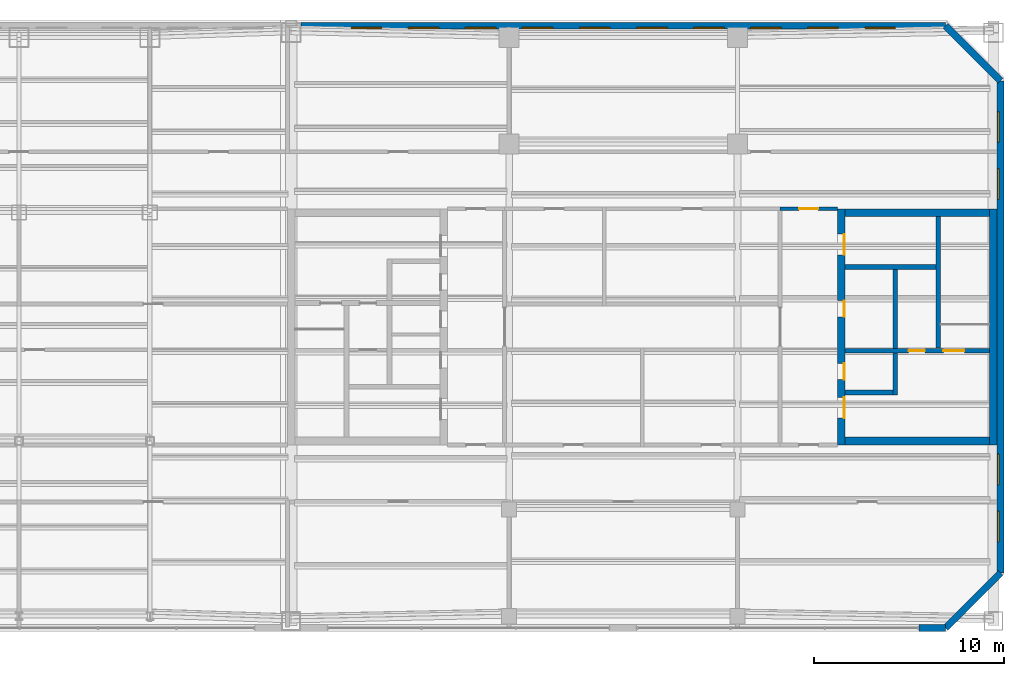
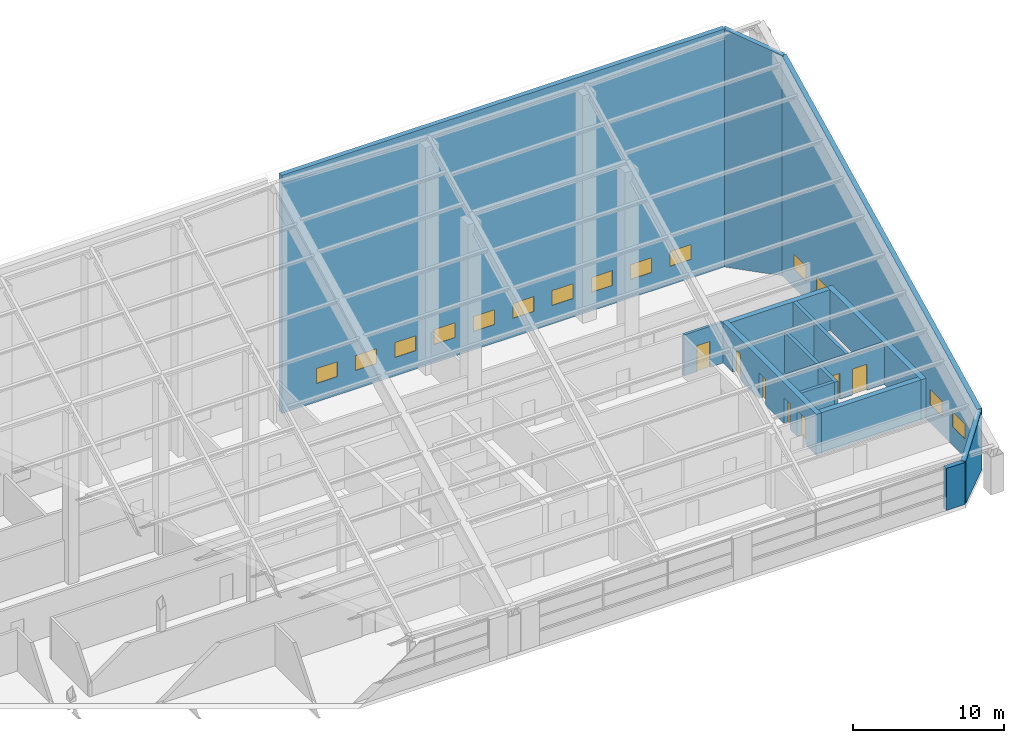
# One storey, part 27 of 28: 16 walls, 14 windows, 7 doors, 21 openings.
"""IFC4 building model written with IfcOpenShell, lengths in metres."""

import ifcopenshell
import ifcopenshell.guid

model = None  # the IFC model being written
_history = None  # IfcOwnerHistory: only IFC2X3 demands one
_inside = {}  # id of a spatial element -> (the spatial element, [elements in it])
_under = {}  # id of a project, library or spatial element -> (it, [spatial elements below it])
_declared = {}  # id of a project -> (the project, [libraries it declares])
_typed = {}  # id of a type object -> (the type object, [elements of that type])
_made_of = {}  # id of a material, layer set ... -> (it, [elements and type objects made of it])


def new_model(schema):
    """Start an empty IFC model of exactly this schema.

    Asked for "IFC4X3", IfcOpenShell would pick the latest addendum, in which some entities
    have other attributes; the version numbers below select the first issue.
    IFC2X3 requires an IfcOwnerHistory on every rooted entity: one is made here for all.
    """
    global model, _history
    if schema == "IFC4X3":
        model = ifcopenshell.file(schema_version=(4, 3, 0, 0))
    else:
        model = ifcopenshell.file(schema=schema)
    _inside.clear()
    _under.clear()
    _declared.clear()
    _typed.clear()
    _made_of.clear()
    _history = None
    if model.schema == "IFC2X3":
        org = make("IfcOrganization", Name="unknown")
        user = make(
            "IfcPersonAndOrganization",
            ThePerson=make("IfcPerson", FamilyName="unknown"),
            TheOrganization=org,
        )
        app = make(
            "IfcApplication",
            ApplicationDeveloper=org,
            Version="unknown",
            ApplicationFullName="unknown",
            ApplicationIdentifier="unknown",
        )
        _history = make(
            "IfcOwnerHistory",
            OwningUser=user,
            OwningApplication=app,
            ChangeAction="ADDED",
            CreationDate=0,
        )
    return model


def make(cls, **values):
    """One entity of the class cls with the attributes given. An attribute that is None is left unset."""
    return model.create_entity(
        cls, **{name: value for name, value in values.items() if value is not None}
    )


def rooted(cls, **values):
    """An entity with a GlobalId (a new one), such as an element, a storey or a relation."""
    return make(cls, GlobalId=ifcopenshell.guid.new(), OwnerHistory=_history, **values)


def si_unit(unit_type, name, prefix=None):
    """IfcSIUnit, for example si_unit("LENGTHUNIT", "METRE", prefix="MILLI")."""
    return make("IfcSIUnit", UnitType=unit_type, Prefix=prefix, Name=name)


def assignment(units):
    """IfcUnitAssignment: the units of a project."""
    return None if units is None else make("IfcUnitAssignment", Units=units)


def point(xyz):
    """IfcCartesianPoint."""
    return None if xyz is None else make("IfcCartesianPoint", Coordinates=xyz)


def direction(xyz):
    """IfcDirection."""
    return None if xyz is None else make("IfcDirection", DirectionRatios=xyz)


def frame(location, z_axis=None, x_axis=None):
    """IfcAxis2Placement3D, a coordinate frame: its origin and axes. An axis left out is left unset."""
    return make(
        "IfcAxis2Placement3D",
        Location=point(location),
        Axis=direction(z_axis),
        RefDirection=direction(x_axis),
    )


def frame_2d(location, x_axis=None):
    """IfcAxis2Placement2D, a coordinate frame in the plane: its origin and x axis."""
    return make(
        "IfcAxis2Placement2D", Location=point(location), RefDirection=direction(x_axis)
    )


def origin():
    """The frame at (0, 0, 0) with its axes left unset."""
    return frame((0.0, 0.0, 0.0))


def place(relative_to, where):
    """IfcLocalPlacement: puts the frame where relative to a parent placement (None: the world)."""
    return make(
        "IfcLocalPlacement", PlacementRelTo=relative_to, RelativePlacement=where
    )


def context(
    kind, dimensions, precision=None, world=None, true_north=None, identifier=None
):
    """IfcGeometricRepresentationContext, for example the 3D "Model" context."""
    return make(
        "IfcGeometricRepresentationContext",
        ContextIdentifier=identifier,
        ContextType=kind,
        CoordinateSpaceDimension=dimensions,
        Precision=precision,
        WorldCoordinateSystem=world,
        TrueNorth=true_north,
    )


def subcontext(parent, identifier, kind, view, scale=None):
    """IfcGeometricRepresentationSubContext, for example "Body" below "Model"."""
    return make(
        "IfcGeometricRepresentationSubContext",
        ContextIdentifier=identifier,
        ContextType=kind,
        ParentContext=parent,
        TargetScale=scale,
        TargetView=view,
    )


def project(units=None, contexts=None):
    """IfcProject with its units and contexts."""
    return rooted(
        "IfcProject",
        Name="project",
        RepresentationContexts=contexts,
        UnitsInContext=assignment(units),
    )


def spatial(cls, under=None, at=None, **own):
    """A site, building, storey or space (cls), placed at a placement, below another one or the project."""
    s = rooted(cls, ObjectPlacement=at, **own)
    if under is not None:
        _under.setdefault(under.id(), (under, []))[1].append(s)
    return s


def polyline(points):
    """IfcPolyline through the points."""
    return make("IfcPolyline", Points=[point(p) for p in points])


def profile(cls, at=None, kind="AREA", **sizes):
    """A parametric profile (cls). Its sizes go by their IFC names, for example OverallWidth=200.0."""
    return make(cls, ProfileType=kind, Position=at, **sizes)


def rectangle(**sizes):
    """IfcRectangleProfileDef."""
    return profile("IfcRectangleProfileDef", **sizes)


def outline(outer, holes=None, kind="AREA"):
    """IfcArbitraryClosedProfileDef: a profile drawn as a closed curve; with holes, ...WithVoids."""
    if holes is None:
        return make("IfcArbitraryClosedProfileDef", ProfileType=kind, OuterCurve=outer)
    return make(
        "IfcArbitraryProfileDefWithVoids",
        ProfileType=kind,
        OuterCurve=outer,
        InnerCurves=holes,
    )


def extrude(swept, where, along, depth):
    """IfcExtrudedAreaSolid: the profile swept, set in the frame where, extruded along a direction by depth."""
    return make(
        "IfcExtrudedAreaSolid",
        SweptArea=swept,
        Position=where,
        ExtrudedDirection=direction(along),
        Depth=depth,
    )


def shape(context_of_items, identifier, shape_type, items):
    """IfcShapeRepresentation: the items that make up one representation, for example the "Body"."""
    return make(
        "IfcShapeRepresentation",
        ContextOfItems=context_of_items,
        RepresentationIdentifier=identifier,
        RepresentationType=shape_type,
        Items=items,
    )


def material(Name=None, Category=None):
    """IfcMaterial."""
    return make("IfcMaterial", Name=Name, Category=Category)


def layer(
    of_material, thickness, ventilated=None, Name=None, Category=None, Priority=None
):
    """IfcMaterialLayer: one layer of a wall or slab, of a material (None: an air gap)."""
    return make(
        "IfcMaterialLayer",
        Material=of_material,
        LayerThickness=thickness,
        IsVentilated=ventilated,
        Name=Name,
        Category=Category,
        Priority=Priority,
    )


def layer_set(layers, Name=None):
    """IfcMaterialLayerSet."""
    return make("IfcMaterialLayerSet", MaterialLayers=layers, LayerSetName=Name)


def made_of(thing, what):
    """Note that an element or type object is made of a material, layer set ...; save() writes the relation."""
    if what is not None:
        _made_of.setdefault(what.id(), (what, []))[1].append(thing)
    return thing


def type_object(cls, material=None, **own):
    """A type object (cls), such as IfcWallType, which elements share."""
    return made_of(rooted(cls, **own), material)


def element(
    cls,
    number,
    at=None,
    inside=None,
    cuts=None,
    type_object=None,
    material=None,
    context=None,
    identifier="Body",
    shape_type=None,
    held_by="IfcProductDefinitionShape",
    body=None,
    shapes=None,
    **own,
):
    """One element of the class cls, such as IfcWall. Its Tag is "e" and its number.

    at: its placement. inside: the storey or other place that contains it. cuts: it is an
    opening in that element (IfcRelVoidsElement). A single representation is given by context,
    identifier, shape_type and body (its items); several are given by shapes. held_by: the class
    of the entity that holds the representations. save() writes the other relations.
    """
    e = rooted(cls, Tag="e%d" % number, ObjectPlacement=at, **own)
    if body is not None:
        shapes = [shape(context, identifier, shape_type, body)]
    if shapes is not None:
        e.Representation = make(held_by, Representations=shapes)
    if inside is not None:
        _inside.setdefault(inside.id(), (inside, []))[1].append(e)
    if cuts is not None:
        rooted(
            "IfcRelVoidsElement", RelatingBuildingElement=cuts, RelatedOpeningElement=e
        )
    if type_object is not None:
        _typed.setdefault(type_object.id(), (type_object, []))[1].append(e)
    return made_of(e, material)


def fill(opening, filler):
    """IfcRelFillsElement: the door or window that sits in an opening."""
    return rooted(
        "IfcRelFillsElement",
        RelatingOpeningElement=opening,
        RelatedBuildingElement=filler,
    )


def aggregate(whole, parts):
    """IfcRelAggregates: a whole, such as a stair, and the parts it consists of."""
    return rooted("IfcRelAggregates", RelatingObject=whole, RelatedObjects=parts)


def save(model, path):
    """Write the relations noted so far, then the file.

    IfcRelAggregates (storeys below a building ...), IfcRelContainedInSpatialStructure (elements
    in a storey), IfcRelDefinesByType, IfcRelAssociatesMaterial and IfcRelDeclares: one each for
    every whole, place, type object, material and project.
    """
    for whole, parts in _under.values():
        aggregate(whole, parts)
    for where, things in _inside.values():
        rooted(
            "IfcRelContainedInSpatialStructure",
            RelatedElements=things,
            RelatingStructure=where,
        )
    for kind, things in _typed.values():
        rooted("IfcRelDefinesByType", RelatedObjects=things, RelatingType=kind)
    for what, things in _made_of.values():
        rooted("IfcRelAssociatesMaterial", RelatedObjects=things, RelatingMaterial=what)
    for by, libraries in _declared.values():
        rooted("IfcRelDeclares", RelatingContext=by, RelatedDefinitions=libraries)
    model.write(path)


model = new_model("IFC4")

# Units and contexts
model_context = context("Model", 3, precision=1e-05, world=origin(), true_north=direction((0.0, 1.0)))
body_context = subcontext(model_context, "Body", "Model", "MODEL_VIEW")
ifc_project = project(units=[si_unit("LENGTHUNIT", "METRE"), si_unit("AREAUNIT", "SQUARE_METRE"), si_unit("VOLUMEUNIT", "CUBIC_METRE"), si_unit("PLANEANGLEUNIT", "RADIAN"), si_unit("MASSUNIT", "GRAM", prefix="KILO")], contexts=[model_context])

# Site, building, storey
site_placement = place(None, origin())
site = spatial("IfcSite", under=ifc_project, at=site_placement, CompositionType="ELEMENT")
building_placement = place(site_placement, origin())
building = spatial("IfcBuilding", under=site, at=building_placement, Name="Tuart Gate Housing", CompositionType="ELEMENT")
storey_placement = place(building_placement, frame((0.0, 0.0, 243.89990234375)))
storey = spatial("IfcBuildingStorey", under=building, at=storey_placement, Name="L68", CompositionType="ELEMENT", Elevation=243.89990234375)

# Walls
ifc_material_1 = material(Name="Brick", Category="masonry")
ifc_layer_1 = layer(ifc_material_1, 0.360107421875)
ifc_layer_set_1 = layer_set([ifc_layer_1], Name="Brick pier and spandrel wall 360")
wall_type_1 = type_object("IfcWallType", Name="Brick pier and spandrel wall 360", PredefinedType="STANDARD", material=ifc_layer_set_1)
wall_1_placement = place(storey_placement, frame((164.525390625, 54.179931640625, 0.0), z_axis=(0.0, 0.0, 1.0), x_axis=(1.0, 0.0, 0.0)))
element("IfcWall", 1, at=wall_1_placement, inside=storey, type_object=wall_type_1, Name="Crown pier 3", PredefinedType="STANDARD", context=body_context, shape_type="SweptSolid", body=[
    extrude(rectangle(XDim=1.400146484375, YDim=0.360107421875, at=frame_2d((0.7001953125, 0.0))), origin(), (0.0, 0.0, 1.0), 3.39013671875),
])
wall_2_placement = place(storey_placement, frame((165.92529296875, 54.179931640625, 0.0), z_axis=(0.0, 0.0, 1.0), x_axis=(0.707106781187, 0.707106781187, 0.0)))
element("IfcWall", 2, at=wall_2_placement, inside=storey, type_object=wall_type_1, Name="Crown cladding wall BLK-SE", PredefinedType="STANDARD", context=body_context, shape_type="SweptSolid", body=[
    extrude(outline(polyline([(0.0, 0.0), (4.09375, 0.0), (4.093505859375, 4.83740234375), (0.0, 3.39013671875), (0.0, 0.0)])), frame((0.0, 0.18017578125, 0.0), z_axis=(0.0, -1.0, 0.0), x_axis=(1.0, 0.0, 0.0)), (0.0, 0.0, 1.0), 0.360107421875),
])

# Wall, openings, windows
wall_3_placement = place(storey_placement, frame((168.820068359375, 57.07470703125, 0.0), z_axis=(0.0, 0.0, 1.0), x_axis=(0.0, 1.0, 0.0)))
wall_3 = element("IfcWall", 3, at=wall_3_placement, inside=storey, type_object=wall_type_1, Name="Crown cladding wall BLK-E", PredefinedType="STANDARD", context=body_context, shape_type="SweptSolid", body=[
    extrude(outline(polyline([(0.0, 0.0), (25.850830078125, 0.0), (25.850830078125, 17.7626953125), (0.0, 4.83740234375), (0.0, 0.0)])), frame((0.0, 0.18017578125, 0.0), z_axis=(0.0, -1.0, 0.0), x_axis=(1.0, 0.0, 0.0)), (0.0, 0.0, 1.0), 0.360107421875),
])
opening_1_placement = place(wall_3_placement, frame((1.62548828125, 0.0, 1.5)))
opening_1 = element("IfcOpeningElement", 4, at=opening_1_placement, cuts=wall_3, Name="Opening W3", PredefinedType="OPENING", context=body_context, shape_type="SweptSolid", body=[
    extrude(rectangle(XDim=1.60009765625, YDim=1.199951171875, at=frame_2d((0.800048828125, 0.60009765625))), frame((0.0, 0.18994140625, 0.0), z_axis=(0.0, -1.0, 0.0), x_axis=(1.0, 0.0, 0.0)), (0.0, 0.0, 1.0), 0.380126953125),
])
opening_2_placement = place(wall_3_placement, frame((4.62548828125, 0.0, 1.5)))
opening_2 = element("IfcOpeningElement", 5, at=opening_2_placement, cuts=wall_3, Name="Opening W3", PredefinedType="OPENING", context=body_context, shape_type="SweptSolid", body=[
    extrude(rectangle(XDim=1.60009765625, YDim=1.199951171875, at=frame_2d((0.800048828125, 0.60009765625))), frame((0.0, 0.18994140625, 0.0), z_axis=(0.0, -1.0, 0.0), x_axis=(1.0, 0.0, 0.0)), (0.0, 0.0, 1.0), 0.380126953125),
])
opening_3_placement = place(wall_3_placement, frame((19.62548828125, 0.0, 1.5)))
opening_3 = element("IfcOpeningElement", 6, at=opening_3_placement, cuts=wall_3, Name="Opening W3", PredefinedType="OPENING", context=body_context, shape_type="SweptSolid", body=[
    extrude(rectangle(XDim=1.60009765625, YDim=1.199951171875, at=frame_2d((0.800048828125, 0.60009765625))), frame((0.0, 0.18994140625, 0.0), z_axis=(0.0, -1.0, 0.0), x_axis=(1.0, 0.0, 0.0)), (0.0, 0.0, 1.0), 0.380126953125),
])
opening_4_placement = place(wall_3_placement, frame((22.62548828125, 0.0, 1.5)))
opening_4 = element("IfcOpeningElement", 7, at=opening_4_placement, cuts=wall_3, Name="Opening W3", PredefinedType="OPENING", context=body_context, shape_type="SweptSolid", body=[
    extrude(rectangle(XDim=1.60009765625, YDim=1.199951171875, at=frame_2d((0.800048828125, 0.60009765625))), frame((0.0, 0.18994140625, 0.0), z_axis=(0.0, -1.0, 0.0), x_axis=(1.0, 0.0, 0.0)), (0.0, 0.0, 1.0), 0.380126953125),
])
ifc_material_2 = material(Name="Aluminium louvre blades", Category="aluminium")
window_type = type_object("IfcWindowType", Name="Louvre window 1600 x 1200", PartitioningType="DOUBLE_PANEL_HORIZONTAL", PredefinedType="WINDOW", material=ifc_material_2)
window_1_placement = place(opening_1_placement, origin())
window_1 = element("IfcWindow", 8, at=window_1_placement, inside=storey, type_object=window_type, Name="Louvre W3", OverallHeight=1.199951171875, OverallWidth=1.60009765625, PartitioningType="DOUBLE_PANEL_HORIZONTAL", PredefinedType="WINDOW", context=body_context, shape_type="SweptSolid", body=[
    extrude(rectangle(XDim=1.60009765625, YDim=1.199951171875, at=frame_2d((0.800048828125, 0.60009765625))), frame((0.0, 0.150146484375, 0.0), z_axis=(0.0, -1.0, 0.0), x_axis=(1.0, 0.0, 0.0)), (0.0, 0.0, 1.0), 0.06005859375),
])
fill(opening_1, window_1)
window_2_placement = place(opening_2_placement, origin())
window_2 = element("IfcWindow", 9, at=window_2_placement, inside=storey, type_object=window_type, Name="Louvre W3", OverallHeight=1.199951171875, OverallWidth=1.60009765625, PartitioningType="DOUBLE_PANEL_HORIZONTAL", PredefinedType="WINDOW", context=body_context, shape_type="SweptSolid", body=[
    extrude(rectangle(XDim=1.60009765625, YDim=1.199951171875, at=frame_2d((0.800048828125, 0.60009765625))), frame((0.0, 0.150146484375, 0.0), z_axis=(0.0, -1.0, 0.0), x_axis=(1.0, 0.0, 0.0)), (0.0, 0.0, 1.0), 0.06005859375),
])
fill(opening_2, window_2)
window_3_placement = place(opening_3_placement, origin())
window_3 = element("IfcWindow", 10, at=window_3_placement, inside=storey, type_object=window_type, Name="Louvre W3", OverallHeight=1.199951171875, OverallWidth=1.60009765625, PartitioningType="DOUBLE_PANEL_HORIZONTAL", PredefinedType="WINDOW", context=body_context, shape_type="SweptSolid", body=[
    extrude(rectangle(XDim=1.60009765625, YDim=1.199951171875, at=frame_2d((0.800048828125, 0.60009765625))), frame((0.0, 0.150146484375, 0.0), z_axis=(0.0, -1.0, 0.0), x_axis=(1.0, 0.0, 0.0)), (0.0, 0.0, 1.0), 0.06005859375),
])
fill(opening_3, window_3)
window_4_placement = place(opening_4_placement, origin())
window_4 = element("IfcWindow", 11, at=window_4_placement, inside=storey, type_object=window_type, Name="Louvre W3", OverallHeight=1.199951171875, OverallWidth=1.60009765625, PartitioningType="DOUBLE_PANEL_HORIZONTAL", PredefinedType="WINDOW", context=body_context, shape_type="SweptSolid", body=[
    extrude(rectangle(XDim=1.60009765625, YDim=1.199951171875, at=frame_2d((0.800048828125, 0.60009765625))), frame((0.0, 0.150146484375, 0.0), z_axis=(0.0, -1.0, 0.0), x_axis=(1.0, 0.0, 0.0)), (0.0, 0.0, 1.0), 0.06005859375),
])
fill(opening_4, window_4)

# Wall
wall_4_placement = place(storey_placement, frame((168.820068359375, 82.92529296875, 0.0), z_axis=(0.0, 0.0, 1.0), x_axis=(-0.707106781187, 0.707106781187, 0.0)))
element("IfcWall", 12, at=wall_4_placement, inside=storey, type_object=wall_type_1, Name="Crown cladding wall BLK-NE", PredefinedType="STANDARD", context=body_context, shape_type="SweptSolid", body=[
    extrude(outline(polyline([(0.0, 0.0), (4.09375, 0.0), (4.093505859375, 19.210205078125), (0.0, 17.7626953125), (0.0, 0.0)])), frame((0.0, 0.18017578125, 0.0), z_axis=(0.0, -1.0, 0.0), x_axis=(1.0, 0.0, 0.0)), (0.0, 0.0, 1.0), 0.360107421875),
])

# Wall, openings, windows
wall_5_placement = place(storey_placement, frame((165.92529296875, 85.820068359375, 0.0), z_axis=(0.0, 0.0, 1.0), x_axis=(-1.0, 0.0, 0.0)))
wall_5 = element("IfcWall", 13, at=wall_5_placement, inside=storey, type_object=wall_type_1, Name="Crown cladding wall BLK-N", PredefinedType="STANDARD", context=body_context, shape_type="SweptSolid", body=[
    extrude(rectangle(XDim=33.850341796875, YDim=0.360107421875, at=frame_2d((16.92529296875, 0.0))), origin(), (0.0, 0.0, 1.0), 19.210205078125),
])
opening_5_placement = place(wall_5_placement, frame((29.62548828125, 0.0, 1.5)))
opening_5 = element("IfcOpeningElement", 14, at=opening_5_placement, cuts=wall_5, Name="Opening W3", PredefinedType="OPENING", context=body_context, shape_type="SweptSolid", body=[
    extrude(rectangle(XDim=1.60009765625, YDim=1.199951171875, at=frame_2d((0.800048828125, 0.60009765625))), frame((0.0, 0.18994140625, 0.0), z_axis=(0.0, -1.0, 0.0), x_axis=(1.0, 0.0, 0.0)), (0.0, 0.0, 1.0), 0.380126953125),
])
opening_6_placement = place(wall_5_placement, frame((26.62548828125, 0.0, 1.5)))
opening_6 = element("IfcOpeningElement", 15, at=opening_6_placement, cuts=wall_5, Name="Opening W3", PredefinedType="OPENING", context=body_context, shape_type="SweptSolid", body=[
    extrude(rectangle(XDim=1.60009765625, YDim=1.199951171875, at=frame_2d((0.800048828125, 0.60009765625))), frame((0.0, 0.18994140625, 0.0), z_axis=(0.0, -1.0, 0.0), x_axis=(1.0, 0.0, 0.0)), (0.0, 0.0, 1.0), 0.380126953125),
])
opening_7_placement = place(wall_5_placement, frame((23.62548828125, 0.0, 1.5)))
opening_7 = element("IfcOpeningElement", 16, at=opening_7_placement, cuts=wall_5, Name="Opening W3", PredefinedType="OPENING", context=body_context, shape_type="SweptSolid", body=[
    extrude(rectangle(XDim=1.60009765625, YDim=1.199951171875, at=frame_2d((0.800048828125, 0.60009765625))), frame((0.0, 0.18994140625, 0.0), z_axis=(0.0, -1.0, 0.0), x_axis=(1.0, 0.0, 0.0)), (0.0, 0.0, 1.0), 0.380126953125),
])
opening_8_placement = place(wall_5_placement, frame((20.62548828125, 0.0, 1.5)))
opening_8 = element("IfcOpeningElement", 17, at=opening_8_placement, cuts=wall_5, Name="Opening W3", PredefinedType="OPENING", context=body_context, shape_type="SweptSolid", body=[
    extrude(rectangle(XDim=1.60009765625, YDim=1.199951171875, at=frame_2d((0.800048828125, 0.60009765625))), frame((0.0, 0.18994140625, 0.0), z_axis=(0.0, -1.0, 0.0), x_axis=(1.0, 0.0, 0.0)), (0.0, 0.0, 1.0), 0.380126953125),
])
opening_9_placement = place(wall_5_placement, frame((17.62548828125, 0.0, 1.5)))
opening_9 = element("IfcOpeningElement", 18, at=opening_9_placement, cuts=wall_5, Name="Opening W3", PredefinedType="OPENING", context=body_context, shape_type="SweptSolid", body=[
    extrude(rectangle(XDim=1.60009765625, YDim=1.199951171875, at=frame_2d((0.800048828125, 0.60009765625))), frame((0.0, 0.18994140625, 0.0), z_axis=(0.0, -1.0, 0.0), x_axis=(1.0, 0.0, 0.0)), (0.0, 0.0, 1.0), 0.380126953125),
])
opening_10_placement = place(wall_5_placement, frame((14.62548828125, 0.0, 1.5)))
opening_10 = element("IfcOpeningElement", 19, at=opening_10_placement, cuts=wall_5, Name="Opening W3", PredefinedType="OPENING", context=body_context, shape_type="SweptSolid", body=[
    extrude(rectangle(XDim=1.60009765625, YDim=1.199951171875, at=frame_2d((0.800048828125, 0.60009765625))), frame((0.0, 0.18994140625, 0.0), z_axis=(0.0, -1.0, 0.0), x_axis=(1.0, 0.0, 0.0)), (0.0, 0.0, 1.0), 0.380126953125),
])
opening_11_placement = place(wall_5_placement, frame((11.62548828125, 0.0, 1.5)))
opening_11 = element("IfcOpeningElement", 20, at=opening_11_placement, cuts=wall_5, Name="Opening W3", PredefinedType="OPENING", context=body_context, shape_type="SweptSolid", body=[
    extrude(rectangle(XDim=1.60009765625, YDim=1.199951171875, at=frame_2d((0.800048828125, 0.60009765625))), frame((0.0, 0.18994140625, 0.0), z_axis=(0.0, -1.0, 0.0), x_axis=(1.0, 0.0, 0.0)), (0.0, 0.0, 1.0), 0.380126953125),
])
opening_12_placement = place(wall_5_placement, frame((8.62548828125, 0.0, 1.5)))
opening_12 = element("IfcOpeningElement", 21, at=opening_12_placement, cuts=wall_5, Name="Opening W3", PredefinedType="OPENING", context=body_context, shape_type="SweptSolid", body=[
    extrude(rectangle(XDim=1.60009765625, YDim=1.199951171875, at=frame_2d((0.800048828125, 0.60009765625))), frame((0.0, 0.18994140625, 0.0), z_axis=(0.0, -1.0, 0.0), x_axis=(1.0, 0.0, 0.0)), (0.0, 0.0, 1.0), 0.380126953125),
])
opening_13_placement = place(wall_5_placement, frame((5.62548828125, 0.0, 1.5)))
opening_13 = element("IfcOpeningElement", 22, at=opening_13_placement, cuts=wall_5, Name="Opening W3", PredefinedType="OPENING", context=body_context, shape_type="SweptSolid", body=[
    extrude(rectangle(XDim=1.60009765625, YDim=1.199951171875, at=frame_2d((0.800048828125, 0.60009765625))), frame((0.0, 0.18994140625, 0.0), z_axis=(0.0, -1.0, 0.0), x_axis=(1.0, 0.0, 0.0)), (0.0, 0.0, 1.0), 0.380126953125),
])
opening_14_placement = place(wall_5_placement, frame((2.62548828125, 0.0, 1.5)))
opening_14 = element("IfcOpeningElement", 23, at=opening_14_placement, cuts=wall_5, Name="Opening W3", PredefinedType="OPENING", context=body_context, shape_type="SweptSolid", body=[
    extrude(rectangle(XDim=1.60009765625, YDim=1.199951171875, at=frame_2d((0.800048828125, 0.60009765625))), frame((0.0, 0.18994140625, 0.0), z_axis=(0.0, -1.0, 0.0), x_axis=(1.0, 0.0, 0.0)), (0.0, 0.0, 1.0), 0.380126953125),
])
window_5_placement = place(opening_5_placement, origin())
window_5 = element("IfcWindow", 24, at=window_5_placement, inside=storey, type_object=window_type, Name="Louvre W3", OverallHeight=1.199951171875, OverallWidth=1.60009765625, PartitioningType="DOUBLE_PANEL_HORIZONTAL", PredefinedType="WINDOW", context=body_context, shape_type="SweptSolid", body=[
    extrude(rectangle(XDim=1.60009765625, YDim=1.199951171875, at=frame_2d((0.800048828125, 0.60009765625))), frame((0.0, 0.150146484375, 0.0), z_axis=(0.0, -1.0, 0.0), x_axis=(1.0, 0.0, 0.0)), (0.0, 0.0, 1.0), 0.06005859375),
])
fill(opening_5, window_5)
window_6_placement = place(opening_6_placement, origin())
window_6 = element("IfcWindow", 25, at=window_6_placement, inside=storey, type_object=window_type, Name="Louvre W3", OverallHeight=1.199951171875, OverallWidth=1.60009765625, PartitioningType="DOUBLE_PANEL_HORIZONTAL", PredefinedType="WINDOW", context=body_context, shape_type="SweptSolid", body=[
    extrude(rectangle(XDim=1.60009765625, YDim=1.199951171875, at=frame_2d((0.800048828125, 0.60009765625))), frame((0.0, 0.150146484375, 0.0), z_axis=(0.0, -1.0, 0.0), x_axis=(1.0, 0.0, 0.0)), (0.0, 0.0, 1.0), 0.06005859375),
])
fill(opening_6, window_6)
window_7_placement = place(opening_7_placement, origin())
window_7 = element("IfcWindow", 26, at=window_7_placement, inside=storey, type_object=window_type, Name="Louvre W3", OverallHeight=1.199951171875, OverallWidth=1.60009765625, PartitioningType="DOUBLE_PANEL_HORIZONTAL", PredefinedType="WINDOW", context=body_context, shape_type="SweptSolid", body=[
    extrude(rectangle(XDim=1.60009765625, YDim=1.199951171875, at=frame_2d((0.800048828125, 0.60009765625))), frame((0.0, 0.150146484375, 0.0), z_axis=(0.0, -1.0, 0.0), x_axis=(1.0, 0.0, 0.0)), (0.0, 0.0, 1.0), 0.06005859375),
])
fill(opening_7, window_7)
window_8_placement = place(opening_8_placement, origin())
window_8 = element("IfcWindow", 27, at=window_8_placement, inside=storey, type_object=window_type, Name="Louvre W3", OverallHeight=1.199951171875, OverallWidth=1.60009765625, PartitioningType="DOUBLE_PANEL_HORIZONTAL", PredefinedType="WINDOW", context=body_context, shape_type="SweptSolid", body=[
    extrude(rectangle(XDim=1.60009765625, YDim=1.199951171875, at=frame_2d((0.800048828125, 0.60009765625))), frame((0.0, 0.150146484375, 0.0), z_axis=(0.0, -1.0, 0.0), x_axis=(1.0, 0.0, 0.0)), (0.0, 0.0, 1.0), 0.06005859375),
])
fill(opening_8, window_8)
window_9_placement = place(opening_9_placement, origin())
window_9 = element("IfcWindow", 28, at=window_9_placement, inside=storey, type_object=window_type, Name="Louvre W3", OverallHeight=1.199951171875, OverallWidth=1.60009765625, PartitioningType="DOUBLE_PANEL_HORIZONTAL", PredefinedType="WINDOW", context=body_context, shape_type="SweptSolid", body=[
    extrude(rectangle(XDim=1.60009765625, YDim=1.199951171875, at=frame_2d((0.800048828125, 0.60009765625))), frame((0.0, 0.150146484375, 0.0), z_axis=(0.0, -1.0, 0.0), x_axis=(1.0, 0.0, 0.0)), (0.0, 0.0, 1.0), 0.06005859375),
])
fill(opening_9, window_9)
window_10_placement = place(opening_10_placement, origin())
window_10 = element("IfcWindow", 29, at=window_10_placement, inside=storey, type_object=window_type, Name="Louvre W3", OverallHeight=1.199951171875, OverallWidth=1.60009765625, PartitioningType="DOUBLE_PANEL_HORIZONTAL", PredefinedType="WINDOW", context=body_context, shape_type="SweptSolid", body=[
    extrude(rectangle(XDim=1.60009765625, YDim=1.199951171875, at=frame_2d((0.800048828125, 0.60009765625))), frame((0.0, 0.150146484375, 0.0), z_axis=(0.0, -1.0, 0.0), x_axis=(1.0, 0.0, 0.0)), (0.0, 0.0, 1.0), 0.06005859375),
])
fill(opening_10, window_10)
window_11_placement = place(opening_11_placement, origin())
window_11 = element("IfcWindow", 30, at=window_11_placement, inside=storey, type_object=window_type, Name="Louvre W3", OverallHeight=1.199951171875, OverallWidth=1.60009765625, PartitioningType="DOUBLE_PANEL_HORIZONTAL", PredefinedType="WINDOW", context=body_context, shape_type="SweptSolid", body=[
    extrude(rectangle(XDim=1.60009765625, YDim=1.199951171875, at=frame_2d((0.800048828125, 0.60009765625))), frame((0.0, 0.150146484375, 0.0), z_axis=(0.0, -1.0, 0.0), x_axis=(1.0, 0.0, 0.0)), (0.0, 0.0, 1.0), 0.06005859375),
])
fill(opening_11, window_11)
window_12_placement = place(opening_12_placement, origin())
window_12 = element("IfcWindow", 31, at=window_12_placement, inside=storey, type_object=window_type, Name="Louvre W3", OverallHeight=1.199951171875, OverallWidth=1.60009765625, PartitioningType="DOUBLE_PANEL_HORIZONTAL", PredefinedType="WINDOW", context=body_context, shape_type="SweptSolid", body=[
    extrude(rectangle(XDim=1.60009765625, YDim=1.199951171875, at=frame_2d((0.800048828125, 0.60009765625))), frame((0.0, 0.150146484375, 0.0), z_axis=(0.0, -1.0, 0.0), x_axis=(1.0, 0.0, 0.0)), (0.0, 0.0, 1.0), 0.06005859375),
])
fill(opening_12, window_12)
window_13_placement = place(opening_13_placement, origin())
window_13 = element("IfcWindow", 32, at=window_13_placement, inside=storey, type_object=window_type, Name="Louvre W3", OverallHeight=1.199951171875, OverallWidth=1.60009765625, PartitioningType="DOUBLE_PANEL_HORIZONTAL", PredefinedType="WINDOW", context=body_context, shape_type="SweptSolid", body=[
    extrude(rectangle(XDim=1.60009765625, YDim=1.199951171875, at=frame_2d((0.800048828125, 0.60009765625))), frame((0.0, 0.150146484375, 0.0), z_axis=(0.0, -1.0, 0.0), x_axis=(1.0, 0.0, 0.0)), (0.0, 0.0, 1.0), 0.06005859375),
])
fill(opening_13, window_13)
window_14_placement = place(opening_14_placement, origin())
window_14 = element("IfcWindow", 33, at=window_14_placement, inside=storey, type_object=window_type, Name="Louvre W3", OverallHeight=1.199951171875, OverallWidth=1.60009765625, PartitioningType="DOUBLE_PANEL_HORIZONTAL", PredefinedType="WINDOW", context=body_context, shape_type="SweptSolid", body=[
    extrude(rectangle(XDim=1.60009765625, YDim=1.199951171875, at=frame_2d((0.800048828125, 0.60009765625))), frame((0.0, 0.150146484375, 0.0), z_axis=(0.0, -1.0, 0.0), x_axis=(1.0, 0.0, 0.0)), (0.0, 0.0, 1.0), 0.06005859375),
])
fill(opening_14, window_14)

# Wall
ifc_material_3 = material(Name="Concrete C40", Category="concrete")
ifc_layer_2 = layer(ifc_material_3, 0.25)
ifc_layer_set_2 = layer_set([ifc_layer_2], Name="Core wall 250 C40")
wall_type_2 = type_object("IfcWallType", Name="Core wall 250 C40", PredefinedType="SHEAR", material=ifc_layer_set_2)
wall_6_placement = place(storey_placement, frame((160.639892578125, 73.14990234375, 0.0), z_axis=(0.0, 0.0, 1.0), x_axis=(1.0, 0.0, 0.0)))
element("IfcWall", 34, at=wall_6_placement, inside=storey, type_object=wall_type_2, Name="Core wall BK.1", PredefinedType="SHEAR", context=body_context, shape_type="SweptSolid", body=[
    extrude(rectangle(XDim=4.775146484375, YDim=0.25, at=frame_2d((2.3876953125, 0.0))), origin(), (0.0, 0.0, 1.0), 3.300048828125),
])

# Wall, openings, doors
wall_7_placement = place(storey_placement, frame((160.639892578125, 68.75, 0.0), z_axis=(0.0, 0.0, 1.0), x_axis=(1.0, 0.0, 0.0)))
wall_7 = element("IfcWall", 35, at=wall_7_placement, inside=storey, type_object=wall_type_2, Name="Core wall BK.2", PredefinedType="SHEAR", context=body_context, shape_type="SweptSolid", body=[
    extrude(rectangle(XDim=7.60009765625, YDim=0.25, at=frame_2d((3.800048828125, 0.0))), origin(), (0.0, 0.0, 1.0), 3.300048828125),
])
opening_15_placement = place(wall_7_placement, frame((5.175048828125, 0.0, 0.0)))
opening_15 = element("IfcOpeningElement", 36, at=opening_15_placement, cuts=wall_7, Name="Opening D3307", PredefinedType="OPENING", context=body_context, shape_type="SweptSolid", body=[
    extrude(rectangle(XDim=1.10009765625, YDim=2.10009765625, at=frame_2d((0.550048828125, 1.050048828125))), frame((0.0, 0.135009765625, 0.0), z_axis=(0.0, -1.0, 0.0), x_axis=(1.0, 0.0, 0.0)), (0.0, 0.0, 1.0), 0.27001953125),
])
opening_16_placement = place(wall_7_placement, frame((3.35009765625, 0.0, 0.0)))
opening_16 = element("IfcOpeningElement", 37, at=opening_16_placement, cuts=wall_7, Name="Opening D3306", PredefinedType="OPENING", context=body_context, shape_type="SweptSolid", body=[
    extrude(rectangle(XDim=0.85009765625, YDim=2.10009765625, at=frame_2d((0.425048828125, 1.050048828125))), frame((0.0, 0.135009765625, 0.0), z_axis=(0.0, -1.0, 0.0), x_axis=(1.0, 0.0, 0.0)), (0.0, 0.0, 1.0), 0.27001953125),
])
ifc_material_4 = material(Name="Steel fire door", Category="steel")
door_type_1 = type_object("IfcDoorType", Name="Riser door 850 x 2100", OperationType="SINGLE_SWING_LEFT", PredefinedType="DOOR", material=ifc_material_4)
door_1_placement = place(opening_16_placement, origin())
door_1 = element("IfcDoor", 38, at=door_1_placement, inside=storey, type_object=door_type_1, Name="Service room door BK.W1", OperationType="SINGLE_SWING_LEFT", OverallHeight=2.10009765625, OverallWidth=0.85009765625, PredefinedType="DOOR", context=body_context, shape_type="SweptSolid", body=[
    extrude(rectangle(XDim=0.85009765625, YDim=2.10009765625, at=frame_2d((0.425048828125, 1.050048828125))), frame((0.0, 0.02490234375, 0.0), z_axis=(0.0, -1.0, 0.0), x_axis=(1.0, 0.0, 0.0)), (0.0, 0.0, 1.0), 0.050048828125),
])
fill(opening_16, door_1)
ifc_material_5 = material(Name="Steel fire door", Category="steel")
door_type_2 = type_object("IfcDoorType", Name="Stair door 1100 x 2100", OperationType="SINGLE_SWING_LEFT", PredefinedType="DOOR", material=ifc_material_5)
door_2_placement = place(opening_15_placement, origin())
door_2 = element("IfcDoor", 39, at=door_2_placement, inside=storey, type_object=door_type_2, Name="Stair door BK.SD", OperationType="SINGLE_SWING_LEFT", OverallHeight=2.10009765625, OverallWidth=1.10009765625, PredefinedType="DOOR", context=body_context, shape_type="SweptSolid", body=[
    extrude(rectangle(XDim=1.10009765625, YDim=2.10009765625, at=frame_2d((0.550048828125, 1.050048828125))), frame((0.0, 0.02490234375, 0.0), z_axis=(0.0, -1.0, 0.0), x_axis=(1.0, 0.0, 0.0)), (0.0, 0.0, 1.0), 0.050048828125),
])
fill(opening_15, door_2)

# Walls
wall_8_placement = place(storey_placement, frame((160.639892578125, 66.550048828125, 0.0), z_axis=(0.0, 0.0, 1.0), x_axis=(1.0, 0.0, 0.0)))
element("IfcWall", 40, at=wall_8_placement, inside=storey, type_object=wall_type_2, Name="Core wall BK.3", PredefinedType="SHEAR", context=body_context, shape_type="SweptSolid", body=[
    extrude(rectangle(XDim=2.525146484375, YDim=0.25, at=frame_2d((1.2626953125, 0.0))), origin(), (0.0, 0.0, 1.0), 3.300048828125),
])
wall_9_placement = place(storey_placement, frame((163.2900390625, 73.02490234375, 0.0), z_axis=(0.0, 0.0, 1.0), x_axis=(0.0, -1.0, 0.0)))
element("IfcWall", 41, at=wall_9_placement, inside=storey, type_object=wall_type_2, Name="Core wall BK.4", PredefinedType="SHEAR", context=body_context, shape_type="SweptSolid", body=[
    extrude(rectangle(XDim=4.14990234375, YDim=0.25, at=frame_2d((2.074951171875, 0.0))), origin(), (0.0, 0.0, 1.0), 3.300048828125),
])
wall_10_placement = place(storey_placement, frame((163.2900390625, 68.625, 0.0), z_axis=(0.0, 0.0, 1.0), x_axis=(0.0, -1.0, 0.0)))
element("IfcWall", 42, at=wall_10_placement, inside=storey, type_object=wall_type_2, Name="Core wall BK.5", PredefinedType="SHEAR", context=body_context, shape_type="SweptSolid", body=[
    extrude(rectangle(XDim=2.199951171875, YDim=0.25, at=frame_2d((1.10009765625, 0.0))), origin(), (0.0, 0.0, 1.0), 3.300048828125),
])
wall_11_placement = place(storey_placement, frame((165.5400390625, 75.800048828125, 0.0), z_axis=(0.0, 0.0, 1.0), x_axis=(0.0, -1.0, 0.0)))
element("IfcWall", 43, at=wall_11_placement, inside=storey, type_object=wall_type_2, Name="Core wall BK.6", PredefinedType="SHEAR", context=body_context, shape_type="SweptSolid", body=[
    extrude(rectangle(XDim=6.925048828125, YDim=0.25, at=frame_2d((3.46240234375, 0.0))), origin(), (0.0, 0.0, 1.0), 3.300048828125),
])

# Wall, openings, doors
ifc_material_6 = material(Name="Concrete C40", Category="concrete")
ifc_layer_3 = layer(ifc_material_6, 0.39990234375)
ifc_layer_set_3 = layer_set([ifc_layer_3], Name="Core wall 400 C40")
wall_type_3 = type_object("IfcWallType", Name="Core wall 400 C40", PredefinedType="SHEAR", material=ifc_layer_set_3)
wall_12_placement = place(storey_placement, frame((160.43994140625, 76.199951171875, 0.0), z_axis=(0.0, 0.0, 1.0), x_axis=(0.0, -1.0, 0.0)))
wall_12 = element("IfcWall", 44, at=wall_12_placement, inside=storey, type_object=wall_type_3, Name="Core wall BK front", PredefinedType="SHEAR", context=body_context, shape_type="SweptSolid", body=[
    extrude(rectangle(XDim=12.39990234375, YDim=0.39990234375, at=frame_2d((6.199951171875, 0.0))), origin(), (0.0, 0.0, 1.0), 3.300048828125),
])
opening_17_placement = place(wall_12_placement, frame((1.324951171875, 0.0, 0.0)))
opening_17 = element("IfcOpeningElement", 45, at=opening_17_placement, cuts=wall_12, Name="Opening LD-FB2", PredefinedType="OPENING", context=body_context, shape_type="SweptSolid", body=[
    extrude(rectangle(XDim=1.10009765625, YDim=2.10009765625, at=frame_2d((0.550048828125, 1.050048828125))), frame((0.0, 0.2099609375, 0.0), z_axis=(0.0, -1.0, 0.0), x_axis=(1.0, 0.0, 0.0)), (0.0, 0.0, 1.0), 0.419921875),
])
opening_18_placement = place(wall_12_placement, frame((4.824951171875, 0.0, 0.0)))
opening_18 = element("IfcOpeningElement", 46, at=opening_18_placement, cuts=wall_12, Name="Opening D3303", PredefinedType="OPENING", context=body_context, shape_type="SweptSolid", body=[
    extrude(rectangle(XDim=0.85009765625, YDim=2.10009765625, at=frame_2d((0.425048828125, 1.050048828125))), frame((0.0, 0.2099609375, 0.0), z_axis=(0.0, -1.0, 0.0), x_axis=(1.0, 0.0, 0.0)), (0.0, 0.0, 1.0), 0.419921875),
])
opening_19_placement = place(wall_12_placement, frame((9.89990234375, 0.0, 0.0)))
opening_19 = element("IfcOpeningElement", 47, at=opening_19_placement, cuts=wall_12, Name="Opening D3302", PredefinedType="OPENING", context=body_context, shape_type="SweptSolid", body=[
    extrude(rectangle(XDim=1.10009765625, YDim=2.10009765625, at=frame_2d((0.550048828125, 1.050048828125))), frame((0.0, 0.2099609375, 0.0), z_axis=(0.0, -1.0, 0.0), x_axis=(1.0, 0.0, 0.0)), (0.0, 0.0, 1.0), 0.419921875),
])
opening_20_placement = place(wall_12_placement, frame((8.125, 0.0, 0.0)))
opening_20 = element("IfcOpeningElement", 48, at=opening_20_placement, cuts=wall_12, Name="Opening D3304", PredefinedType="OPENING", context=body_context, shape_type="SweptSolid", body=[
    extrude(rectangle(XDim=0.85009765625, YDim=2.10009765625, at=frame_2d((0.425048828125, 1.050048828125))), frame((0.0, 0.2099609375, 0.0), z_axis=(0.0, -1.0, 0.0), x_axis=(1.0, 0.0, 0.0)), (0.0, 0.0, 1.0), 0.419921875),
])
ifc_material_7 = material(Name="Stainless steel", Category="steel")
door_type_3 = type_object("IfcDoorType", Name="Landing door 1100 x 2100", OperationType="DOUBLE_DOOR_SLIDING", PredefinedType="DOOR", material=ifc_material_7)
door_3_placement = place(opening_17_placement, origin())
door_3 = element("IfcDoor", 49, at=door_3_placement, inside=storey, type_object=door_type_3, Name="Lift landing door FB2", OperationType="DOUBLE_DOOR_SLIDING", OverallHeight=2.10009765625, OverallWidth=1.10009765625, PredefinedType="DOOR", context=body_context, shape_type="SweptSolid", body=[
    extrude(rectangle(XDim=1.10009765625, YDim=2.10009765625, at=frame_2d((0.550048828125, 1.050048828125))), frame((0.0, 0.18505859375, 0.0), z_axis=(0.0, -1.0, 0.0), x_axis=(1.0, 0.0, 0.0)), (0.0, 0.0, 1.0), 0.050048828125),
])
fill(opening_17, door_3)
ifc_material_8 = material(Name="Steel fire door", Category="steel")
door_type_4 = type_object("IfcDoorType", Name="Lobby door 1100 x 2100", OperationType="SINGLE_SWING_LEFT", PredefinedType="DOOR", material=ifc_material_8)
door_4_placement = place(opening_19_placement, origin())
door_4 = element("IfcDoor", 50, at=door_4_placement, inside=storey, type_object=door_type_4, Name="Lobby entry door BK.EN", OperationType="SINGLE_SWING_LEFT", OverallHeight=2.10009765625, OverallWidth=1.10009765625, PredefinedType="DOOR", context=body_context, shape_type="SweptSolid", body=[
    extrude(rectangle(XDim=1.10009765625, YDim=2.10009765625, at=frame_2d((0.550048828125, 1.050048828125))), frame((0.0, 0.18505859375, 0.0), z_axis=(0.0, -1.0, 0.0), x_axis=(1.0, 0.0, 0.0)), (0.0, 0.0, 1.0), 0.050048828125),
])
fill(opening_19, door_4)
ifc_material_9 = material(Name="Steel fire door", Category="steel")
door_type_5 = type_object("IfcDoorType", Name="Service door 850 x 2100", OperationType="SINGLE_SWING_LEFT", PredefinedType="DOOR", material=ifc_material_9)
door_5_placement = place(opening_18_placement, origin())
door_5 = element("IfcDoor", 51, at=door_5_placement, inside=storey, type_object=door_type_5, Name="Service room door BK.FR1", OperationType="SINGLE_SWING_LEFT", OverallHeight=2.10009765625, OverallWidth=0.85009765625, PredefinedType="DOOR", context=body_context, shape_type="SweptSolid", body=[
    extrude(rectangle(XDim=0.85009765625, YDim=2.10009765625, at=frame_2d((0.425048828125, 1.050048828125))), frame((0.0, 0.18505859375, 0.0), z_axis=(0.0, -1.0, 0.0), x_axis=(1.0, 0.0, 0.0)), (0.0, 0.0, 1.0), 0.050048828125),
])
fill(opening_18, door_5)
door_6_placement = place(opening_20_placement, origin())
door_6 = element("IfcDoor", 52, at=door_6_placement, inside=storey, type_object=door_type_5, Name="Service room door BK.T1", OperationType="SINGLE_SWING_LEFT", OverallHeight=2.10009765625, OverallWidth=0.85009765625, PredefinedType="DOOR", context=body_context, shape_type="SweptSolid", body=[
    extrude(rectangle(XDim=0.85009765625, YDim=2.10009765625, at=frame_2d((0.425048828125, 1.050048828125))), frame((0.0, 0.18505859375, 0.0), z_axis=(0.0, -1.0, 0.0), x_axis=(1.0, 0.0, 0.0)), (0.0, 0.0, 1.0), 0.050048828125),
])
fill(opening_20, door_6)

# Walls
wall_13_placement = place(storey_placement, frame((168.43994140625, 76.199951171875, 0.0), z_axis=(0.0, 0.0, 1.0), x_axis=(0.0, -1.0, 0.0)))
element("IfcWall", 53, at=wall_13_placement, inside=storey, type_object=wall_type_3, Name="Core wall BK back", PredefinedType="SHEAR", context=body_context, shape_type="SweptSolid", body=[
    extrude(rectangle(XDim=12.39990234375, YDim=0.39990234375, at=frame_2d((6.199951171875, 0.0))), origin(), (0.0, 0.0, 1.0), 3.300048828125),
])
for number, where, z_axis, x_axis, name in (
    (54, (160.639892578125, 76.0, 0.0), (0.0, 0.0, 1.0), (1.0, 0.0, 0.0), "Core wall BK south"),
    (55, (160.639892578125, 64.0, 0.0), (0.0, 0.0, 1.0), (1.0, 0.0, 0.0), "Core wall BK north"),
):
    element("IfcWall", number, at=place(storey_placement, frame(where, z_axis=z_axis, x_axis=x_axis)), inside=storey, type_object=wall_type_3, Name=name, PredefinedType="SHEAR", context=body_context, shape_type="SweptSolid", body=[
        extrude(rectangle(XDim=7.60009765625, YDim=0.39990234375, at=frame_2d((3.800048828125, 0.0))), origin(), (0.0, 0.0, 1.0), 3.300048828125),
    ])

# Wall, opening, door
ifc_material_10 = material(Name="Concrete masonry 15 MPa", Category="masonry")
ifc_layer_4 = layer(ifc_material_10, 0.199951171875)
ifc_layer_set_4 = layer_set([ifc_layer_4], Name="Enclosure wall masonry 200")
wall_type_4 = type_object("IfcWallType", Name="Enclosure wall masonry 200", PredefinedType="PARTITIONING", material=ifc_layer_set_4)
wall_14_placement = place(storey_placement, frame((157.239990234375, 76.199951171875, 0.0), z_axis=(0.0, 0.0, 1.0), x_axis=(1.0, 0.0, 0.0)))
wall_14 = element("IfcWall", 56, at=wall_14_placement, inside=storey, type_object=wall_type_4, Name="Enclosure wall masonry 200", PredefinedType="PARTITIONING", context=body_context, shape_type="SweptSolid", body=[
    extrude(rectangle(XDim=3.0, YDim=0.199951171875, at=frame_2d((1.5, 0.0))), origin(), (0.0, 0.0, 1.0), 3.300048828125),
])
opening_21_placement = place(wall_14_placement, frame((1.0, 0.0, 0.0)))
opening_21 = element("IfcOpeningElement", 57, at=opening_21_placement, cuts=wall_14, Name="Opening D3293", PredefinedType="OPENING", context=body_context, shape_type="SweptSolid", body=[
    extrude(rectangle(XDim=1.0, YDim=2.10009765625, at=frame_2d((0.5, 1.050048828125))), frame((0.0, 0.10986328125, 0.0), z_axis=(0.0, -1.0, 0.0), x_axis=(1.0, 0.0, 0.0)), (0.0, 0.0, 1.0), 0.219970703125),
])
ifc_material_11 = material(Name="Timber door leaf in steel frame", Category="steel")
door_type_6 = type_object("IfcDoorType", Name="Lobby door 1000 RH", OperationType="SINGLE_SWING_RIGHT", PredefinedType="DOOR", material=ifc_material_11)
door_7_placement = place(opening_21_placement, frame((1.0, 0.0, 0.0), z_axis=(0.0, 0.0, 1.0), x_axis=(-1.0, 0.0, 0.0)))
door_7 = element("IfcDoor", 58, at=door_7_placement, inside=storey, type_object=door_type_6, Name="Lobby door 1000", OperationType="SINGLE_SWING_RIGHT", OverallHeight=2.10009765625, OverallWidth=1.0, PredefinedType="DOOR", context=body_context, shape_type="SweptSolid", body=[
    extrude(rectangle(XDim=1.0, YDim=2.10009765625, at=frame_2d((0.5, 1.050048828125))), frame((0.0, 0.025146484375, 0.0), z_axis=(0.0, -1.0, 0.0), x_axis=(1.0, 0.0, 0.0)), (0.0, 0.0, 1.0), 0.050048828125),
])
fill(opening_21, door_7)

save(model, "model.ifc")
